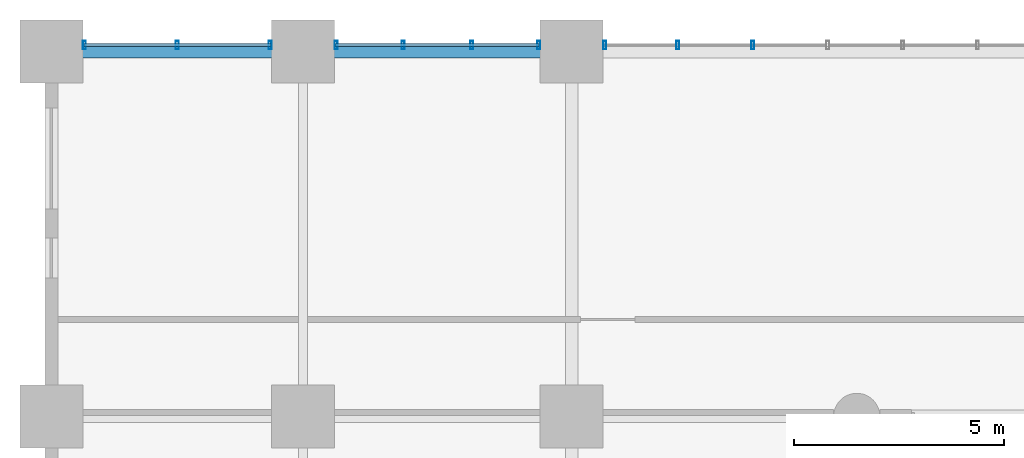
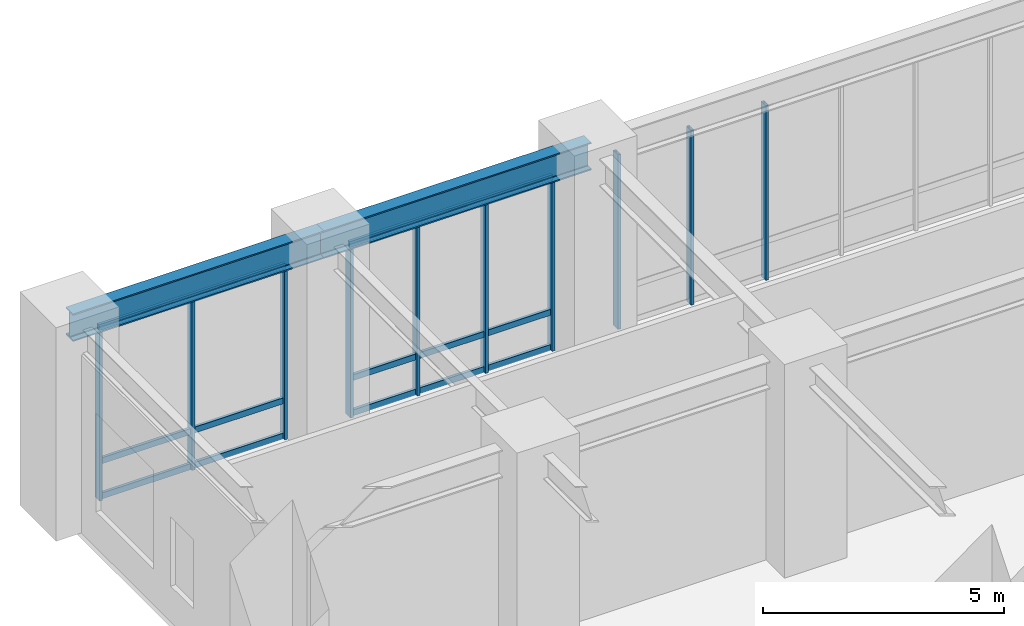
# One storey, part 2 of 22: 16 members, 2 beams, 3 elements without a shape of their own.
"""IFC4 building model written with IfcOpenShell, lengths in metres."""

from ifc_helpers import new_model, si_unit, direction, frame, origin, origin_2d, place, context, subcontext, project, spatial, hollow_rectangle, i_section, extrude, source, transform, mapped, material, layer, layer_set, material_profile, profile_set, type_object, element, aggregate, save


model = new_model("IFC4")

# Units and contexts
model_context = context("Model", 3, precision=1e-05, world=origin(), true_north=direction((0.0, 1.0)))
body_context = subcontext(model_context, "Body", "Model", "MODEL_VIEW")
ifc_project = project(units=[si_unit("LENGTHUNIT", "METRE"), si_unit("AREAUNIT", "SQUARE_METRE"), si_unit("VOLUMEUNIT", "CUBIC_METRE"), si_unit("PLANEANGLEUNIT", "RADIAN"), si_unit("MASSUNIT", "GRAM", prefix="KILO")], contexts=[model_context])

# Site, building, storey
site_placement = place(None, origin())
site = spatial("IfcSite", under=ifc_project, at=site_placement, CompositionType="ELEMENT")
building_placement = place(site_placement, origin())
building = spatial("IfcBuilding", under=site, at=building_placement, Name="Kaliganga Portal Commons", CompositionType="ELEMENT")
storey_placement = place(building_placement, origin())
storey = spatial("IfcBuildingStorey", under=building, at=storey_placement, Name="L00", CompositionType="ELEMENT", Elevation=0.0)

# Beams
ifc_material_1 = material(Name="Structural steel S355J2", Category="steel")
ifc_material_profile_1 = material_profile(ifc_material_1, i_section(OverallWidth=0.300048828125, OverallDepth=0.699951171875, WebThickness=0.01708984375, FlangeThickness=0.031982421875, FilletRadius=0.027099609375, at=origin_2d()), Name="HE 700 B")
ifc_profile_set_1 = profile_set([ifc_material_profile_1], Name="Structural steel S355J2 wide-flange")
beam_type = type_object("IfcBeamType", Name="BM-GIRD-700", PredefinedType="USERDEFINED", material=ifc_profile_set_1)
shared_shape_1 = source(origin(), body_context, "Body", "SweptSolid", [
    extrude(i_section(OverallWidth=0.300048828125, OverallDepth=0.699951171875, WebThickness=0.01708984375, FlangeThickness=0.031982421875, FilletRadius=0.027099609375, at=origin_2d()), origin(), (0.0, 0.0, 1.0), 6.0),
])
beam_1_placement = place(storey_placement, frame((-12.0, 44.85009765625, 4.77001953125), z_axis=(1.0, 0.0, 0.0), x_axis=(0.0, 1.0, 0.0)))
element("IfcBeam", 1, at=beam_1_placement, inside=storey, type_object=beam_type, Name="BM PODW L00 Y44 1", ObjectType="GIRDER", PredefinedType="USERDEFINED", context=body_context, shape_type="MappedRepresentation", body=[
    mapped(shared_shape_1, transform((0.0, 0.0, 0.0), x_axis=(1.0, 0.0, 0.0), y_axis=(0.0, 1.0, 0.0), z_axis=(0.0, 0.0, 1.0), scale=1.0)),
])
shared_shape_2 = source(origin(), body_context, "Body", "SweptSolid", [
    extrude(i_section(OverallWidth=0.300048828125, OverallDepth=0.699951171875, WebThickness=0.01708984375, FlangeThickness=0.031982421875, FilletRadius=0.027099609375, at=origin_2d()), origin(), (0.0, 0.0, 1.0), 6.39990234375),
])
beam_2_placement = place(storey_placement, frame((-6.0, 44.85009765625, 4.77001953125), z_axis=(1.0, 0.0, 0.0), x_axis=(0.0, 1.0, 0.0)))
element("IfcBeam", 2, at=beam_2_placement, inside=storey, type_object=beam_type, Name="BM PODW L00 Y44 2", ObjectType="GIRDER", PredefinedType="USERDEFINED", context=body_context, shape_type="MappedRepresentation", body=[
    mapped(shared_shape_2, transform((0.0, 0.0, 0.0), x_axis=(1.0, 0.0, 0.0), y_axis=(0.0, 1.0, 0.0), z_axis=(0.0, 0.0, 1.0), scale=1.0)),
])

# Curtain wall, members
ifc_material_2 = material(Name="Anodized Aluminium and Laminated Low-E Glass", Category="aluminium")
ifc_layer = layer(ifc_material_2, 0.219970703125)
ifc_layer_set = layer_set([ifc_layer], Name="Anodized Aluminium and Laminated Low-E Glass")
curtain_wall_type = type_object("IfcCurtainWallType", Name="CW-SYS-01", PredefinedType="NOTDEFINED", material=ifc_layer_set)
curtain_wall_1_placement = place(storey_placement, origin())
curtain_wall_1 = element("IfcCurtainWall", 3, at=curtain_wall_1_placement, inside=storey, type_object=curtain_wall_type, Name="CW 01 L00 P1E02S7", PredefinedType="NOTDEFINED")
ifc_material_3 = material(Name="Dark Bronze Anodized Aluminium", Category="aluminium")
ifc_material_profile_2 = material_profile(ifc_material_3, hollow_rectangle(XDim=0.070068359375, YDim=0.199951171875, WallThickness=0.00390625, at=origin_2d()), Name="ALU MULL 70x200x4")
ifc_profile_set_2 = profile_set([ifc_material_profile_2], Name="Dark Bronze Anodized Aluminium")
member_type_1 = type_object("IfcMemberType", Name="CW-MUL-220", PredefinedType="MULLION", material=ifc_profile_set_2)
shared_shape_3 = source(origin(), body_context, "Body", "SweptSolid", [
    extrude(hollow_rectangle(XDim=0.070068359375, YDim=0.199951171875, WallThickness=0.00390625, at=origin_2d()), origin(), (0.0, 0.0, 1.0), 4.419921875),
])
member_1_placement = place(storey_placement, frame((4.721923828125, 45.0, 0.0), z_axis=(0.0, 0.0, 1.0), x_axis=(-1.0, 0.0, 0.0)))
member_1 = element("IfcMember", 4, at=member_1_placement, type_object=member_type_1, Name="CW:01:L00:P1E02S7 Mullion 05", PredefinedType="MULLION", context=body_context, shape_type="MappedRepresentation", body=[
    mapped(shared_shape_3, transform((0.0, 0.0, 0.0), x_axis=(1.0, 0.0, 0.0), y_axis=(0.0, 1.0, 0.0), z_axis=(0.0, 0.0, 1.0), scale=1.0)),
])
member_2_placement = place(storey_placement, frame((2.936279296875, 45.0, 0.0), z_axis=(0.0, 0.0, 1.0), x_axis=(-1.0, 0.0, 0.0)))
member_2 = element("IfcMember", 5, at=member_2_placement, type_object=member_type_1, Name="CW:01:L00:P1E02S7 Mullion 06", PredefinedType="MULLION", context=body_context, shape_type="MappedRepresentation", body=[
    mapped(shared_shape_3, transform((0.0, 0.0, 0.0), x_axis=(1.0, 0.0, 0.0), y_axis=(0.0, 1.0, 0.0), z_axis=(0.0, 0.0, 1.0), scale=1.0)),
])
member_3_placement = place(storey_placement, frame((1.18603515625, 45.0, 0.0), z_axis=(0.0, 0.0, 1.0), x_axis=(-1.0, 0.0, 0.0)))
member_3 = element("IfcMember", 6, at=member_3_placement, type_object=member_type_1, Name="CW:01:L00:P1E02S7 Mullion 07", PredefinedType="MULLION", context=body_context, shape_type="MappedRepresentation", body=[
    mapped(shared_shape_3, transform((0.0, 0.0, 0.0), x_axis=(1.0, 0.0, 0.0), y_axis=(0.0, 1.0, 0.0), z_axis=(0.0, 0.0, 1.0), scale=1.0)),
])
aggregate(curtain_wall_1, [member_1, member_2, member_3])

curtain_wall_2_placement = place(storey_placement, origin())
curtain_wall_2 = element("IfcCurtainWall", 7, at=curtain_wall_2_placement, inside=storey, type_object=curtain_wall_type, Name="CW 01 L00 P1E02S8", PredefinedType="NOTDEFINED")
member_4_placement = place(storey_placement, frame((-0.385986328125, 45.0, 0.0), z_axis=(0.0, 0.0, 1.0), x_axis=(-1.0, 0.0, 0.0)))
member_4 = element("IfcMember", 8, at=member_4_placement, type_object=member_type_1, Name="CW:01:L00:P1E02S8 Mullion 00", PredefinedType="MULLION", context=body_context, shape_type="MappedRepresentation", body=[
    mapped(shared_shape_3, transform((0.0, 0.0, 0.0), x_axis=(1.0, 0.0, 0.0), y_axis=(0.0, 1.0, 0.0), z_axis=(0.0, 0.0, 1.0), scale=1.0)),
])
member_5_placement = place(storey_placement, frame((-1.983642578125, 45.0, 0.0), z_axis=(0.0, 0.0, 1.0), x_axis=(-1.0, 0.0, 0.0)))
member_5 = element("IfcMember", 9, at=member_5_placement, type_object=member_type_1, Name="CW:01:L00:P1E02S8 Mullion 01", PredefinedType="MULLION", context=body_context, shape_type="MappedRepresentation", body=[
    mapped(shared_shape_3, transform((0.0, 0.0, 0.0), x_axis=(1.0, 0.0, 0.0), y_axis=(0.0, 1.0, 0.0), z_axis=(0.0, 0.0, 1.0), scale=1.0)),
])
member_6_placement = place(storey_placement, frame((-3.6162109375, 45.0, 0.0), z_axis=(0.0, 0.0, 1.0), x_axis=(-1.0, 0.0, 0.0)))
member_6 = element("IfcMember", 10, at=member_6_placement, type_object=member_type_1, Name="CW:01:L00:P1E02S8 Mullion 02", PredefinedType="MULLION", context=body_context, shape_type="MappedRepresentation", body=[
    mapped(shared_shape_3, transform((0.0, 0.0, 0.0), x_axis=(1.0, 0.0, 0.0), y_axis=(0.0, 1.0, 0.0), z_axis=(0.0, 0.0, 1.0), scale=1.0)),
])
member_7_placement = place(storey_placement, frame((-5.214111328125, 45.0, 0.0), z_axis=(0.0, 0.0, 1.0), x_axis=(-1.0, 0.0, 0.0)))
member_7 = element("IfcMember", 11, at=member_7_placement, type_object=member_type_1, Name="CW:01:L00:P1E02S8 Mullion 03", PredefinedType="MULLION", context=body_context, shape_type="MappedRepresentation", body=[
    mapped(shared_shape_3, transform((0.0, 0.0, 0.0), x_axis=(1.0, 0.0, 0.0), y_axis=(0.0, 1.0, 0.0), z_axis=(0.0, 0.0, 1.0), scale=1.0)),
])

curtain_wall_3_placement = place(storey_placement, origin())
curtain_wall_3 = element("IfcCurtainWall", 12, at=curtain_wall_3_placement, inside=storey, type_object=curtain_wall_type, Name="CW 01 L00 P1E02S9", PredefinedType="NOTDEFINED")
member_8_placement = place(storey_placement, frame((-6.785888671875, 45.0, 0.0), z_axis=(0.0, 0.0, 1.0), x_axis=(-1.0, 0.0, 0.0)))
member_8 = element("IfcMember", 13, at=member_8_placement, type_object=member_type_1, Name="CW:01:L00:P1E02S9 Mullion 00", PredefinedType="MULLION", context=body_context, shape_type="MappedRepresentation", body=[
    mapped(shared_shape_3, transform((0.0, 0.0, 0.0), x_axis=(1.0, 0.0, 0.0), y_axis=(0.0, 1.0, 0.0), z_axis=(0.0, 0.0, 1.0), scale=1.0)),
])
member_9_placement = place(storey_placement, frame((-9.0, 45.0, 0.0), z_axis=(0.0, 0.0, 1.0), x_axis=(-1.0, 0.0, 0.0)))
member_9 = element("IfcMember", 14, at=member_9_placement, type_object=member_type_1, Name="CW:01:L00:P1E02S9 Mullion 01", PredefinedType="MULLION", context=body_context, shape_type="MappedRepresentation", body=[
    mapped(shared_shape_3, transform((0.0, 0.0, 0.0), x_axis=(1.0, 0.0, 0.0), y_axis=(0.0, 1.0, 0.0), z_axis=(0.0, 0.0, 1.0), scale=1.0)),
])
member_10_placement = place(storey_placement, frame((-11.214111328125, 45.0, 0.0), z_axis=(0.0, 0.0, 1.0), x_axis=(-1.0, 0.0, 0.0)))
member_10 = element("IfcMember", 15, at=member_10_placement, type_object=member_type_1, Name="CW:01:L00:P1E02S9 Mullion 02", PredefinedType="MULLION", context=body_context, shape_type="MappedRepresentation", body=[
    mapped(shared_shape_3, transform((0.0, 0.0, 0.0), x_axis=(1.0, 0.0, 0.0), y_axis=(0.0, 1.0, 0.0), z_axis=(0.0, 0.0, 1.0), scale=1.0)),
])
ifc_material_profile_3 = material_profile(ifc_material_3, hollow_rectangle(XDim=0.070068359375, YDim=0.14990234375, WallThickness=0.00341796875, at=origin_2d()), Name="ALU TRAN 70x150x3.5")
ifc_profile_set_3 = profile_set([ifc_material_profile_3], Name="Dark Bronze Anodized Aluminium")
member_type_2 = type_object("IfcMemberType", Name="CW-TRN-150", PredefinedType="USERDEFINED", material=ifc_profile_set_3)
shared_shape_4 = source(origin(), body_context, "Body", "SweptSolid", [
    extrude(hollow_rectangle(XDim=0.070068359375, YDim=0.14990234375, WallThickness=0.00341796875, at=origin_2d()), origin(), (0.0, 0.0, 1.0), 4.4580078125),
])
member_11_placement = place(storey_placement, frame((-6.77099609375, 45.0, 0.06005859375), z_axis=(-1.0, 0.0, 0.0), x_axis=(0.0, -1.0, 0.0)))
member_11 = element("IfcMember", 16, at=member_11_placement, type_object=member_type_2, Name="CW:01:L00:P1E02S9 Transom 1", ObjectType="TRANSOM", PredefinedType="USERDEFINED", context=body_context, shape_type="MappedRepresentation", body=[
    mapped(shared_shape_4, transform((0.0, 0.0, 0.0), x_axis=(1.0, 0.0, 0.0), y_axis=(0.0, 1.0, 0.0), z_axis=(0.0, 0.0, 1.0), scale=1.0)),
])
member_12_placement = place(storey_placement, frame((-6.77099609375, 45.0, 0.949951171875), z_axis=(-1.0, 0.0, 0.0), x_axis=(0.0, -1.0, 0.0)))
member_12 = element("IfcMember", 17, at=member_12_placement, type_object=member_type_2, Name="CW:01:L00:P1E02S9 Transom 2", ObjectType="TRANSOM", PredefinedType="USERDEFINED", context=body_context, shape_type="MappedRepresentation", body=[
    mapped(shared_shape_4, transform((0.0, 0.0, 0.0), x_axis=(1.0, 0.0, 0.0), y_axis=(0.0, 1.0, 0.0), z_axis=(0.0, 0.0, 1.0), scale=1.0)),
])
member_13_placement = place(storey_placement, frame((-6.77099609375, 45.0, 4.340087890625), z_axis=(-1.0, 0.0, 0.0), x_axis=(0.0, -1.0, 0.0)))
member_13 = element("IfcMember", 18, at=member_13_placement, type_object=member_type_2, Name="CW:01:L00:P1E02S9 Transom 3", ObjectType="TRANSOM", PredefinedType="USERDEFINED", context=body_context, shape_type="MappedRepresentation", body=[
    mapped(shared_shape_4, transform((0.0, 0.0, 0.0), x_axis=(1.0, 0.0, 0.0), y_axis=(0.0, 1.0, 0.0), z_axis=(0.0, 0.0, 1.0), scale=1.0)),
])
aggregate(curtain_wall_3, [member_8, member_9, member_10, member_11, member_12, member_13])

# Member
shared_shape_5 = source(origin(), body_context, "Body", "SweptSolid", [
    extrude(hollow_rectangle(XDim=0.070068359375, YDim=0.14990234375, WallThickness=0.00341796875, at=origin_2d()), origin(), (0.0, 0.0, 1.0), 4.85791015625),
])
member_14_placement = place(storey_placement, frame((-0.37109375, 45.0, 0.06005859375), z_axis=(-1.0, 0.0, 0.0), x_axis=(0.0, -1.0, 0.0)))
member_14 = element("IfcMember", 19, at=member_14_placement, type_object=member_type_2, Name="CW:01:L00:P1E02S8 Transom 1", ObjectType="TRANSOM", PredefinedType="USERDEFINED", context=body_context, shape_type="MappedRepresentation", body=[
    mapped(shared_shape_5, transform((0.0, 0.0, 0.0), x_axis=(1.0, 0.0, 0.0), y_axis=(0.0, 1.0, 0.0), z_axis=(0.0, 0.0, 1.0), scale=1.0)),
])

member_15_placement = place(storey_placement, frame((-0.37109375, 45.0, 0.949951171875), z_axis=(-1.0, 0.0, 0.0), x_axis=(0.0, -1.0, 0.0)))
member_15 = element("IfcMember", 20, at=member_15_placement, type_object=member_type_2, Name="CW:01:L00:P1E02S8 Transom 2", ObjectType="TRANSOM", PredefinedType="USERDEFINED", context=body_context, shape_type="MappedRepresentation", body=[
    mapped(shared_shape_5, transform((0.0, 0.0, 0.0), x_axis=(1.0, 0.0, 0.0), y_axis=(0.0, 1.0, 0.0), z_axis=(0.0, 0.0, 1.0), scale=1.0)),
])

member_16_placement = place(storey_placement, frame((-0.37109375, 45.0, 4.340087890625), z_axis=(-1.0, 0.0, 0.0), x_axis=(0.0, -1.0, 0.0)))
member_16 = element("IfcMember", 21, at=member_16_placement, type_object=member_type_2, Name="CW:01:L00:P1E02S8 Transom 3", ObjectType="TRANSOM", PredefinedType="USERDEFINED", context=body_context, shape_type="MappedRepresentation", body=[
    mapped(shared_shape_5, transform((0.0, 0.0, 0.0), x_axis=(1.0, 0.0, 0.0), y_axis=(0.0, 1.0, 0.0), z_axis=(0.0, 0.0, 1.0), scale=1.0)),
])

aggregate(curtain_wall_2, [member_4, member_5, member_6, member_7, member_14, member_15, member_16])

save(model, "model.ifc")
